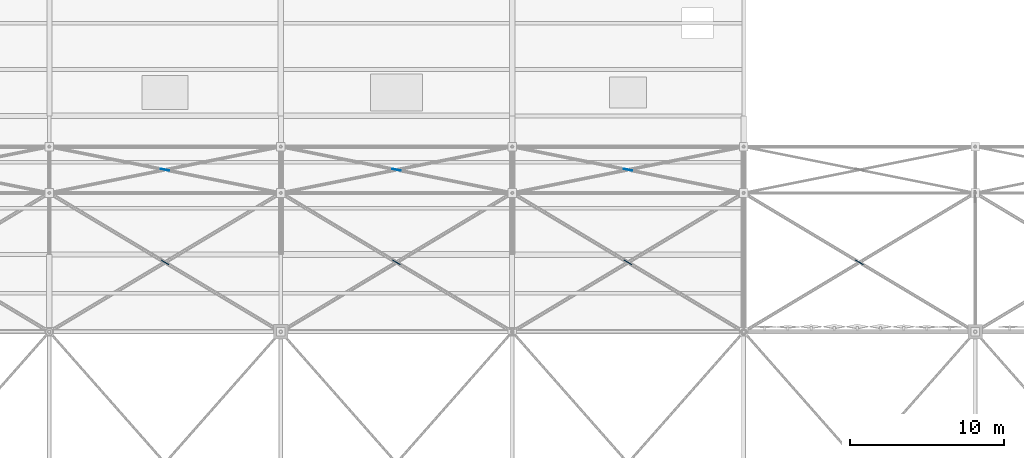
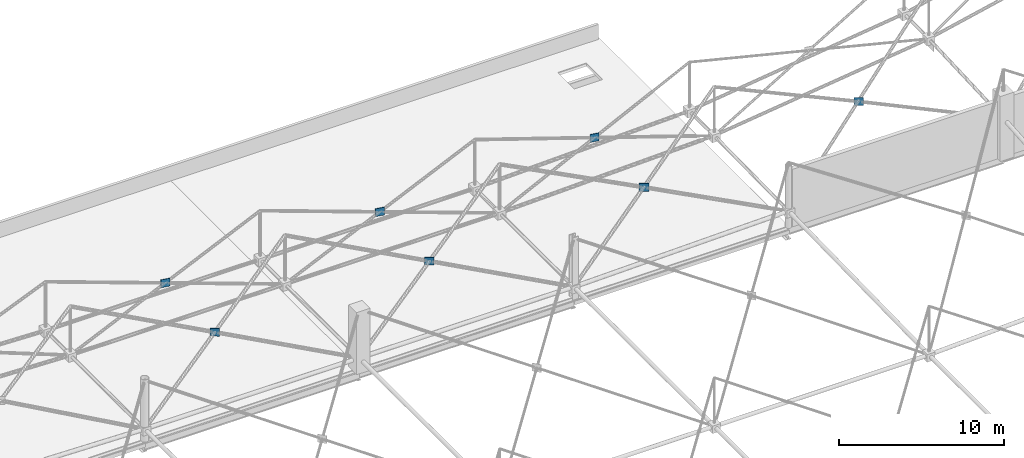
# One storey, part 188 of 224: 7 plates.
"""IFC4 building model written with IfcOpenShell, lengths in metres."""

from ifc_helpers import new_model, si_unit, direction, frame, origin, origin_2d, place, context, subcontext, project, spatial, rectangle, extrude, material, layer, layer_set, type_object, element, save


model = new_model("IFC4")

# Units and contexts
model_context = context("Model", 3, precision=1e-05, world=origin(), true_north=direction((0.0, 1.0)))
body_context = subcontext(model_context, "Body", "Model", "MODEL_VIEW")
ifc_project = project(units=[si_unit("LENGTHUNIT", "METRE"), si_unit("AREAUNIT", "SQUARE_METRE"), si_unit("VOLUMEUNIT", "CUBIC_METRE"), si_unit("PLANEANGLEUNIT", "RADIAN"), si_unit("MASSUNIT", "GRAM", prefix="KILO")], contexts=[model_context])

# Site, building, storey
site_placement = place(None, origin())
site = spatial("IfcSite", under=ifc_project, at=site_placement, CompositionType="ELEMENT")
building_placement = place(site_placement, origin())
building = spatial("IfcBuilding", under=site, at=building_placement, Name="Qamarlyn Nura Convention Centre", CompositionType="ELEMENT")
storey_placement = place(building_placement, frame((0.0, 0.0, 10.800048828125)))
storey = spatial("IfcBuildingStorey", under=building, at=storey_placement, Name="L02", CompositionType="ELEMENT", Elevation=10.800048828125)

# Plates
ifc_material = material(Name="Structural steel ASTM A572 Grade 50", Category="steel")
ifc_layer = layer(ifc_material, 0.035888671875, Name="GP-SN1")
ifc_layer_set = layer_set([ifc_layer], Name="Structural steel ASTM A572 Grade 50")
plate_type = type_object("IfcPlateType", Name="GP-SN1", PredefinedType="USERDEFINED", material=ifc_layer_set)
for number, where, z_axis, x_axis, name in (
    (1, (52.5, 107.5, 2.309814453125), (0.0, 0.0, 1.0), (-0.857492535386, 0.514496405972, 0.0), "Space frame X-brace crossing gusset plate 5-7"),
    (2, (52.5, 113.5, 2.309814453125), (0.0, 0.0, 1.0), (-0.980580786845, 0.196115579366, 0.0), "Space frame X-brace crossing gusset plate 5-8"),
    (3, (67.5, 107.5, 2.309814453125), (0.0, 0.0, 1.0), (-0.857492535386, 0.514496405972, 0.0), "Space frame X-brace crossing gusset plate 6-7"),
    (4, (67.5, 113.5, 2.309814453125), (0.0, 0.0, 1.0), (-0.980580786845, 0.196115579366, 0.0), "Space frame X-brace crossing gusset plate 6-8"),
    (5, (82.5, 107.5, 2.513916015625), (0.0, 0.0, 1.0), (-0.857492535386, 0.514496405972, 0.0), "Space frame X-brace crossing gusset plate 7-7"),
    (6, (82.5, 113.5, 2.544921875), (0.0, 0.0, 1.0), (-0.980580786845, 0.196115579366, 0.0), "Space frame X-brace crossing gusset plate 7-8"),
    (7, (97.5, 107.5, 3.598876953125), (0.0, 0.0, 1.0), (-0.857492535386, 0.514496405972, 0.0), "Space frame X-brace crossing gusset plate 8-7"),
):
    element("IfcPlate", number, at=place(storey_placement, frame(where, z_axis=z_axis, x_axis=x_axis)), inside=storey, type_object=plate_type, Name=name, ObjectType="GUSSET PLATE", PredefinedType="USERDEFINED", context=body_context, shape_type="SweptSolid", body=[
        extrude(rectangle(XDim=0.580078125, YDim=0.035888671875, at=origin_2d()), origin(), (0.0, 0.0, 1.0), 0.580078125),
    ])

save(model, "model.ifc")
